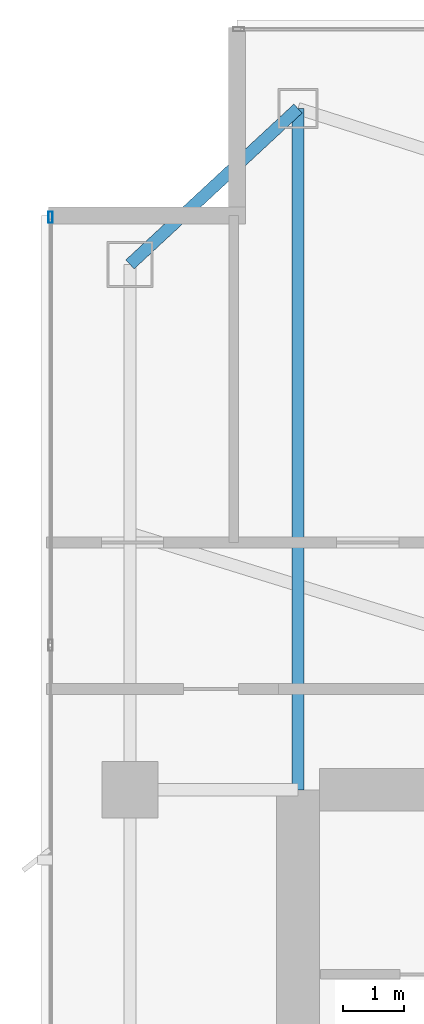
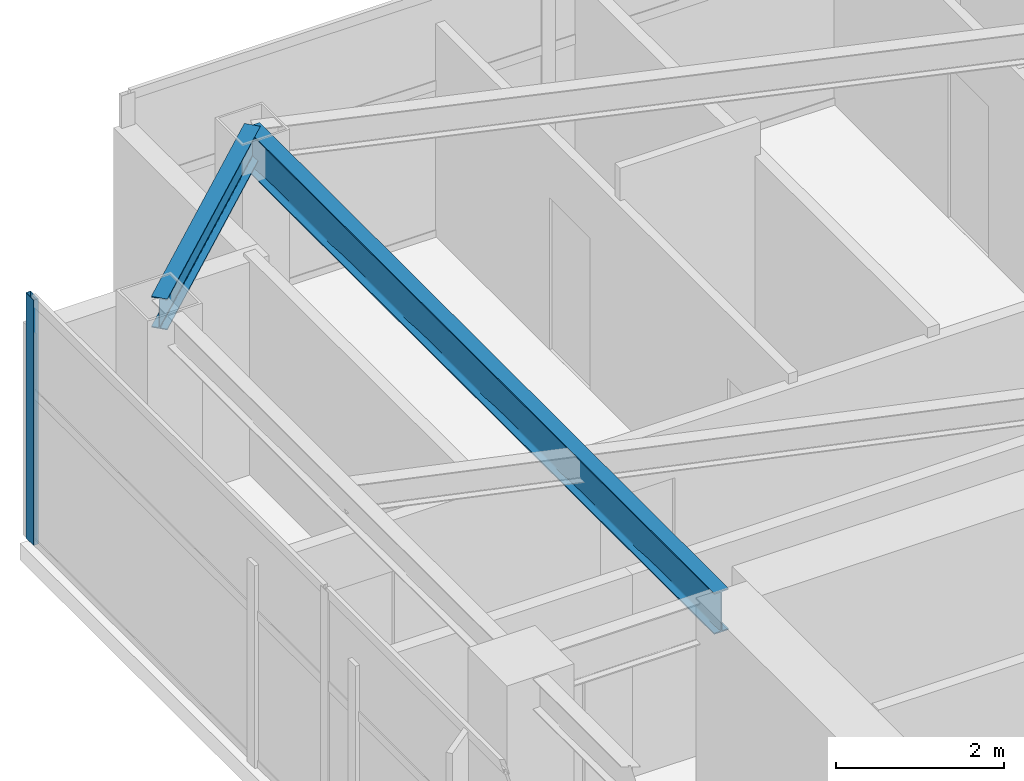
# One storey, part 16 of 27: 2 beams, 1 member, 1 element without a shape of its own.
"""IFC4 building model written with IfcOpenShell, lengths in metres."""

from ifc_helpers import new_model, si_unit, direction, frame, origin, origin_2d, place, context, subcontext, project, spatial, hollow_rectangle, i_section, extrude, material, layer, layer_set, material_profile, profile_set, type_object, element, aggregate, save


model = new_model("IFC4")

# Units and contexts
model_context = context("Model", 3, precision=1e-05, world=origin(), true_north=direction((0.0, 1.0)))
body_context = subcontext(model_context, "Body", "Model", "MODEL_VIEW")
ifc_project = project(units=[si_unit("LENGTHUNIT", "METRE"), si_unit("AREAUNIT", "SQUARE_METRE"), si_unit("VOLUMEUNIT", "CUBIC_METRE"), si_unit("PLANEANGLEUNIT", "RADIAN"), si_unit("MASSUNIT", "GRAM", prefix="KILO")], contexts=[model_context])

# Site, building, storey
site_placement = place(None, origin())
site = spatial("IfcSite", under=ifc_project, at=site_placement, CompositionType="ELEMENT")
building_placement = place(site_placement, origin())
building = spatial("IfcBuilding", under=site, at=building_placement, Name="Calvorn Quay Hotel", CompositionType="ELEMENT")
storey_placement = place(building_placement, frame((0.0, 0.0, 226.89990234375)))
storey = spatial("IfcBuildingStorey", under=building, at=storey_placement, Name="L56", CompositionType="ELEMENT", Elevation=226.89990234375)

# Beams
ifc_material_1 = material(Name="Steel Q355B", Category="steel")
ifc_material_profile_1 = material_profile(ifc_material_1, i_section(OverallWidth=0.199951171875, OverallDepth=0.60009765625, WebThickness=0.010986328125, FlangeThickness=0.01708984375, FilletRadius=0.01806640625, at=origin_2d()), Name="HN600x200x11x17")
ifc_profile_set_1 = profile_set([ifc_material_profile_1], Name="Steel Q355B")
beam_type_1 = type_object("IfcBeamType", Name="BM-GIRD-TYP", PredefinedType="BEAM", material=ifc_profile_set_1)
beam_1_placement = place(storey_placement, frame((4.199951171875, 49.550048828125, 3.239990234375), z_axis=(0.0, -1.0, 0.0), x_axis=(1.0, 0.0, 0.0)))
element("IfcBeam", 1, at=beam_1_placement, inside=storey, type_object=beam_type_1, Name="Beam BG-L56-W5", PredefinedType="BEAM", context=body_context, shape_type="SweptSolid", body=[
    extrude(i_section(OverallWidth=0.199951171875, OverallDepth=0.60009765625, WebThickness=0.010986328125, FlangeThickness=0.01708984375, FilletRadius=0.01806640625, at=origin_2d()), origin(), (0.0, 0.0, 1.0), 11.150146484375),
])
ifc_material_2 = material(Name="Steel Q355B", Category="steel")
ifc_material_profile_2 = material_profile(ifc_material_2, i_section(OverallWidth=0.199951171875, OverallDepth=0.449951171875, WebThickness=0.009033203125, FlangeThickness=0.013916015625, FilletRadius=0.01611328125, at=origin_2d()), Name="HN450x200x9x14")
ifc_profile_set_2 = profile_set([ifc_material_profile_2], Name="Steel Q355B")
beam_type_2 = type_object("IfcBeamType", Name="BM-SPANDREL-Z3", PredefinedType="SPANDREL", material=ifc_profile_set_2)
beam_2_placement = place(storey_placement, frame((1.449951171875, 47.0, 3.315185546875), z_axis=(0.733261665538, 0.679946563969, 0.0), x_axis=(-0.679946563969, 0.733261665538, 0.0)))
element("IfcBeam", 2, at=beam_2_placement, inside=storey, type_object=beam_type_2, Name="Beam BSP-L56-W5", PredefinedType="SPANDREL", context=body_context, shape_type="SweptSolid", body=[
    extrude(i_section(OverallWidth=0.199951171875, OverallDepth=0.449951171875, WebThickness=0.009033203125, FlangeThickness=0.013916015625, FilletRadius=0.01611328125, at=origin_2d()), origin(), (0.0, 0.0, 1.0), 3.75048828125),
])

# Curtain wall, member
ifc_material_3 = material(Name="Champagne Bronze Anodised Aluminium and Low-E Glass", Category="aluminium")
ifc_layer = layer(ifc_material_3, 0.219970703125)
ifc_layer_set = layer_set([ifc_layer], Name="CW-SYS-Z3")
curtain_wall_type = type_object("IfcCurtainWallType", Name="CW-SYS-Z3", PredefinedType="NOTDEFINED", material=ifc_layer_set)
curtain_wall_placement = place(storey_placement, origin())
curtain_wall = element("IfcCurtainWall", 3, at=curtain_wall_placement, inside=storey, type_object=curtain_wall_type, Name="Tower West Curtain Wall (L56)", PredefinedType="NOTDEFINED")
ifc_material_4 = material(Name="Champagne Bronze Anodised Aluminium 6063-T6", Category="aluminium")
ifc_material_profile_3 = material_profile(ifc_material_4, hollow_rectangle(XDim=0.068115234375, YDim=0.18505859375, WallThickness=0.00390625, at=origin_2d()), Name="ALU-M185x68x4")
ifc_profile_set_3 = profile_set([ifc_material_profile_3], Name="Champagne Bronze Anodised Aluminium 6063-T6")
member_type = type_object("IfcMemberType", Name="CW-SYS-Z3-MUL", PredefinedType="MULLION", material=ifc_profile_set_3)
member_placement = place(storey_placement, frame((0.14990234375, 47.77001953125, 0.0), z_axis=(0.0, 0.0, 1.0), x_axis=(-1.0, 0.0, 0.0)))
member = element("IfcMember", 4, at=member_placement, type_object=member_type, Name="CW-L56-W mullion 7", PredefinedType="MULLION", context=body_context, shape_type="SweptSolid", body=[
    extrude(hollow_rectangle(XDim=0.068115234375, YDim=0.18505859375, WallThickness=0.00390625, at=origin_2d()), origin(), (0.0, 0.0, 1.0), 3.56005859375),
])
aggregate(curtain_wall, [member])

save(model, "model.ifc")
